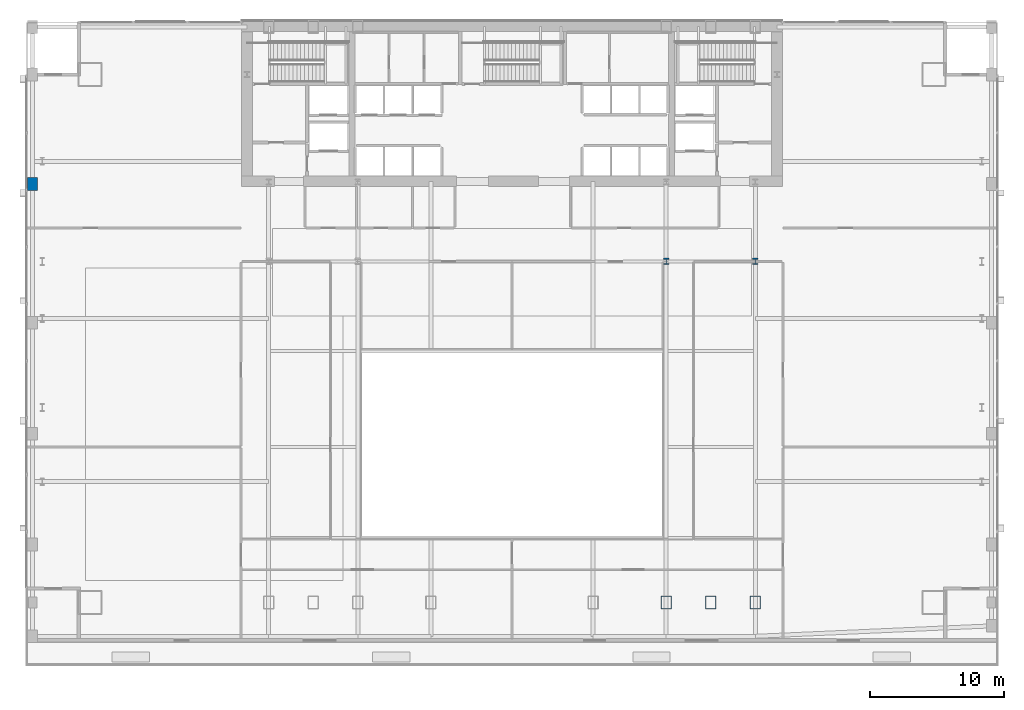
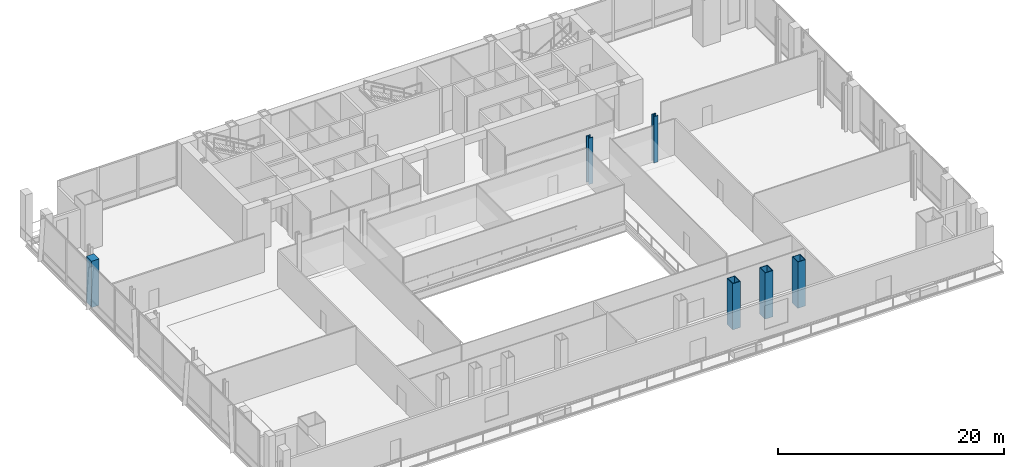
# One storey, part 2 of 25: 6 columns.
"""IFC4 building model written with IfcOpenShell, lengths in metres."""

from ifc_helpers import new_model, si_unit, direction, frame, origin, origin_2d, place, context, subcontext, project, spatial, rectangle, hollow_rectangle, i_section, extrude, material, material_profile, profile_set, type_object, element, save


model = new_model("IFC4")

# Units and contexts
model_context = context("Model", 3, precision=1e-05, world=origin(), true_north=direction((0.0, 1.0)))
body_context = subcontext(model_context, "Body", "Model", "MODEL_VIEW")
ifc_project = project(units=[si_unit("LENGTHUNIT", "METRE"), si_unit("AREAUNIT", "SQUARE_METRE"), si_unit("VOLUMEUNIT", "CUBIC_METRE"), si_unit("PLANEANGLEUNIT", "RADIAN"), si_unit("MASSUNIT", "GRAM", prefix="KILO")], contexts=[model_context])

# Site, building, storey
site_placement = place(None, origin())
site = spatial("IfcSite", under=ifc_project, at=site_placement, CompositionType="ELEMENT")
building_placement = place(site_placement, origin())
building = spatial("IfcBuilding", under=site, at=building_placement, Name="Khoronbel Lancet Exchange", CompositionType="ELEMENT")
storey_placement = place(building_placement, frame((0.0, 0.0, 10.39990234375)))
storey = spatial("IfcBuildingStorey", under=building, at=storey_placement, Name="L02", CompositionType="ELEMENT", Elevation=10.39990234375)

# Columns
ifc_material_1 = material(Name="Steel S460", Category="steel")
ifc_material_profile_1 = material_profile(ifc_material_1, hollow_rectangle(XDim=0.800048828125, YDim=1.0, WallThickness=0.054931640625, at=origin_2d()), Name="BOX 1000x800x55")
ifc_profile_set_1 = profile_set([ifc_material_profile_1], Name="Steel S460")
column_type_1 = type_object("IfcColumnType", Name="COL-EC1", PredefinedType="COLUMN", material=ifc_profile_set_1)
for number, where, z_axis, x_axis, name in (
    (1, (48.0, 10.14990234375, 0.0), (0.0, 0.0, 1.0), (1.0, 0.0, 0.0), "Structural column SC-E1 L02"),
    (2, (51.33740234375, 10.14990234375, 0.0), (0.0, 0.0, 1.0), (1.0, 0.0, 0.0), "Structural column SC-EM L02"),
    (3, (54.675048828125, 10.14990234375, 0.0), (0.0, 0.0, 1.0), (1.0, 0.0, 0.0), "Structural column SC-E2 L02"),
):
    element("IfcColumn", number, at=place(storey_placement, frame(where, z_axis=z_axis, x_axis=x_axis)), inside=storey, type_object=column_type_1, Name=name, PredefinedType="COLUMN", context=body_context, shape_type="SweptSolid", body=[
        extrude(hollow_rectangle(XDim=0.800048828125, YDim=1.0, WallThickness=0.054931640625, at=origin_2d()), origin(), (0.0, 0.0, 1.0), 5.0),
    ])
ifc_material_profile_2 = material_profile(ifc_material_1, i_section(OverallWidth=0.424072265625, OverallDepth=0.47412109375, WebThickness=0.047607421875, FlangeThickness=0.076904296875, at=origin_2d()), Name="HD 400x634")
ifc_profile_set_2 = profile_set([ifc_material_profile_2], Name="Steel S460")
column_type_2 = type_object("IfcColumnType", Name="COL-IC1", PredefinedType="COLUMN", material=ifc_profile_set_2)
for number, where, z_axis, x_axis, name in (
    (4, (48.0, 35.699951171875, 0.0), (0.0, 0.0, 1.0), (1.0, 0.0, 0.0), "Spine gravity column TC3 L02"),
    (5, (54.675048828125, 35.699951171875, 0.0), (0.0, 0.0, 1.0), (1.0, 0.0, 0.0), "Spine gravity column TC4 L02"),
):
    element("IfcColumn", number, at=place(storey_placement, frame(where, z_axis=z_axis, x_axis=x_axis)), inside=storey, type_object=column_type_2, Name=name, PredefinedType="COLUMN", context=body_context, shape_type="SweptSolid", body=[
        extrude(i_section(OverallWidth=0.424072265625, OverallDepth=0.47412109375, WebThickness=0.047607421875, FlangeThickness=0.076904296875, at=origin_2d()), origin(), (0.0, 0.0, 1.0), 5.0),
    ])
ifc_material_2 = material(Name="Concrete C60/75", Category="concrete")
ifc_material_profile_3 = material_profile(ifc_material_2, rectangle(XDim=0.75, YDim=0.949951171875, at=origin_2d()), Name="RC 750x950")
ifc_profile_set_3 = profile_set([ifc_material_profile_3], Name="Concrete C60/75")
column_type_3 = type_object("IfcColumnType", Name="COL-PIL2", PredefinedType="PILASTER", material=ifc_profile_set_3)
column_placement = place(storey_placement, frame((0.550048828125, 41.5, 0.0), z_axis=(0.0, 0.0, 1.0), x_axis=(1.0, 0.0, 0.0)))
element("IfcColumn", 6, at=column_placement, inside=storey, type_object=column_type_3, Name="Podium Gothic colonnade pilaster W4 L02", PredefinedType="PILASTER", context=body_context, shape_type="SweptSolid", body=[
    extrude(rectangle(XDim=0.75, YDim=0.949951171875, at=origin_2d()), origin(), (0.0, 0.0, 1.0), 5.0),
])

save(model, "model.ifc")
